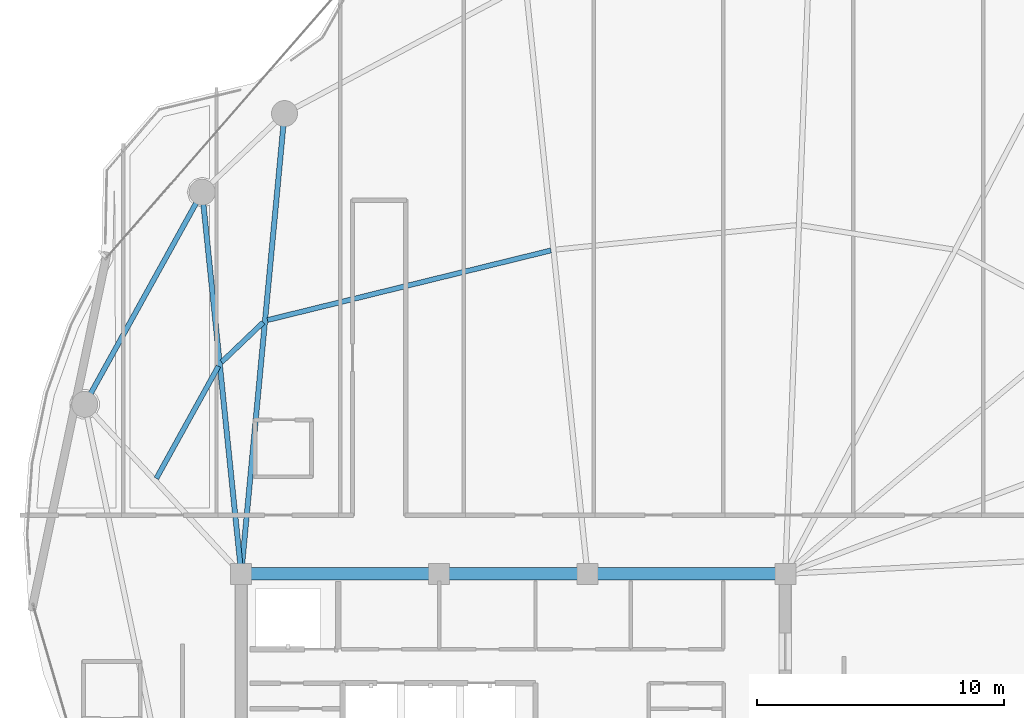
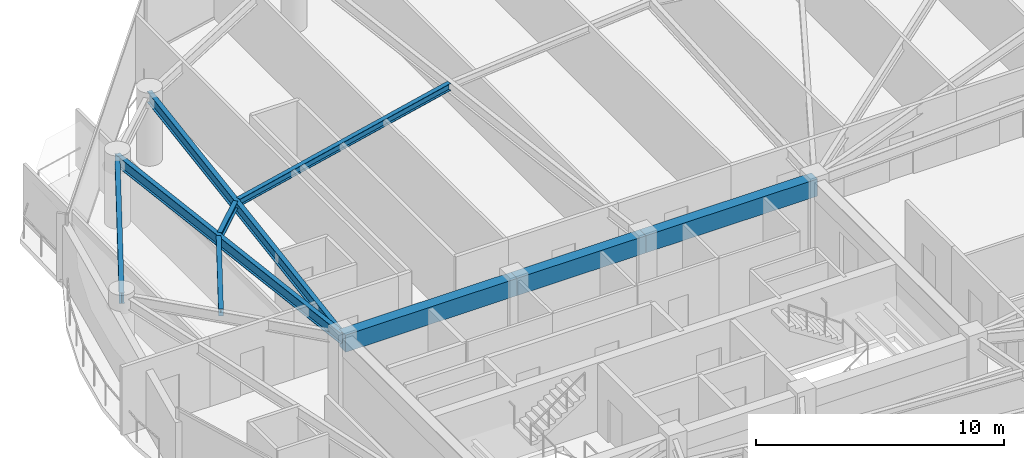
# One storey, part 8 of 29: 9 beams.
"""IFC4 building model written with IfcOpenShell, lengths in metres."""

from ifc_helpers import new_model, si_unit, direction, frame, origin, origin_2d, place, context, subcontext, project, spatial, rectangle, i_section, extrude, material, material_profile, profile_set, type_object, element, save


model = new_model("IFC4")

# Units and contexts
model_context = context("Model", 3, precision=1e-05, world=origin(), true_north=direction((0.0, 1.0)))
body_context = subcontext(model_context, "Body", "Model", "MODEL_VIEW")
ifc_project = project(units=[si_unit("LENGTHUNIT", "METRE"), si_unit("AREAUNIT", "SQUARE_METRE"), si_unit("VOLUMEUNIT", "CUBIC_METRE"), si_unit("PLANEANGLEUNIT", "RADIAN"), si_unit("MASSUNIT", "GRAM", prefix="KILO")], contexts=[model_context])

# Site, building, storey
site_placement = place(None, origin())
site = spatial("IfcSite", under=ifc_project, at=site_placement, CompositionType="ELEMENT")
building_placement = place(site_placement, origin())
building = spatial("IfcBuilding", under=site, at=building_placement, Name="Kazevale Care Tower and Concert Hall", CompositionType="ELEMENT")
storey_placement = place(building_placement, frame((0.0, 0.0, 199.199951171875)))
storey = spatial("IfcBuildingStorey", under=building, at=storey_placement, Name="L52", CompositionType="ELEMENT", Elevation=199.199951171875)

# Beams
ifc_material_1 = material(Name="Concrete C60", Category="concrete")
ifc_material_profile_1 = material_profile(ifc_material_1, rectangle(XDim=0.5, YDim=0.85009765625, at=origin_2d()), Name="RC-B500x850")
ifc_profile_set_1 = profile_set([ifc_material_profile_1], Name="Concrete C60")
beam_type_1 = type_object("IfcBeamType", Name="Core Coupling Beam RC500x850", PredefinedType="LINTEL", material=ifc_profile_set_1)
beam_1_placement = place(storey_placement, frame((44.0, 36.39990234375, 2.93505859375), z_axis=(-1.0, 0.0, 0.0), x_axis=(0.0, -1.0, 0.0)))
element("IfcBeam", 1, at=beam_1_placement, inside=storey, type_object=beam_type_1, Name="beam:L52:coretie:5", PredefinedType="LINTEL", context=body_context, shape_type="SweptSolid", body=[
    extrude(rectangle(XDim=0.5, YDim=0.85009765625, at=origin_2d()), origin(), (0.0, 0.0, 1.0), 8.0),
])
beam_2_placement = place(storey_placement, frame((36.0, 36.39990234375, 2.93505859375), z_axis=(-1.0, 0.0, 0.0), x_axis=(0.0, -1.0, 0.0)))
element("IfcBeam", 2, at=beam_2_placement, inside=storey, type_object=beam_type_1, Name="beam:L52:coretie:6", PredefinedType="LINTEL", context=body_context, shape_type="SweptSolid", body=[
    extrude(rectangle(XDim=0.5, YDim=0.85009765625, at=origin_2d()), origin(), (0.0, 0.0, 1.0), 6.0),
])
beam_3_placement = place(storey_placement, frame((30.0, 36.39990234375, 2.93505859375), z_axis=(-1.0, 0.0, 0.0), x_axis=(0.0, -1.0, 0.0)))
element("IfcBeam", 3, at=beam_3_placement, inside=storey, type_object=beam_type_1, Name="beam:L52:coretie:7", PredefinedType="LINTEL", context=body_context, shape_type="SweptSolid", body=[
    extrude(rectangle(XDim=0.5, YDim=0.85009765625, at=origin_2d()), origin(), (0.0, 0.0, 1.0), 8.0),
])
ifc_material_2 = material(Name="Steel ASTM A572 Gr 50", Category="steel")
ifc_material_profile_2 = material_profile(ifc_material_2, i_section(OverallWidth=0.2119140625, OverallDepth=0.5439453125, WebThickness=0.01318359375, FlangeThickness=0.021240234375, at=origin_2d()), Name="W530x123")
ifc_profile_set_2 = profile_set([ifc_material_profile_2], Name="Steel ASTM A572 Gr 50")
beam_type_2 = type_object("IfcBeamType", Name="Radial Floor Girder W530x123", PredefinedType="BEAM", material=ifc_profile_set_2)
beam_4_placement = place(storey_placement, frame((22.0, 36.39990234375, 3.088134765625), z_axis=(0.093621904075, 0.995607823933, 0.0), x_axis=(-0.995607823933, 0.093621904075, 0.0)))
element("IfcBeam", 4, at=beam_4_placement, inside=storey, type_object=beam_type_2, Name="beam:L52:rad:07", PredefinedType="BEAM", context=body_context, shape_type="SweptSolid", body=[
    extrude(i_section(OverallWidth=0.2119140625, OverallDepth=0.5439453125, WebThickness=0.01318359375, FlangeThickness=0.021240234375, at=origin_2d()), origin(), (0.0, 0.0, 1.0), 18.692138671875),
])
beam_5_placement = place(storey_placement, frame((22.0, 36.39990234375, 3.088134765625), z_axis=(-0.101869109083, 0.994797810922, 0.0), x_axis=(-0.994797810922, -0.101869109083, 0.0)))
element("IfcBeam", 5, at=beam_5_placement, inside=storey, type_object=beam_type_2, Name="beam:L52:rad:08", PredefinedType="BEAM", context=body_context, shape_type="SweptSolid", body=[
    extrude(i_section(OverallWidth=0.2119140625, OverallDepth=0.5439453125, WebThickness=0.01318359375, FlangeThickness=0.021240234375, at=origin_2d()), origin(), (0.0, 0.0, 1.0), 15.510986328125),
])
ifc_material_profile_3 = material_profile(ifc_material_2, i_section(OverallWidth=0.205078125, OverallDepth=0.35400390625, WebThickness=0.009521484375, FlangeThickness=0.016845703125, at=origin_2d()), Name="W360x79")
ifc_profile_set_3 = profile_set([ifc_material_profile_3], Name="Steel ASTM A572 Gr 50")
beam_type_3 = type_object("IfcBeamType", Name="Secondary Floor Joist W360x79", PredefinedType="JOIST", material=ifc_profile_set_3)
beam_6_placement = place(storey_placement, frame((34.52294921875, 49.47607421875, 3.18310546875), z_axis=(-0.971122715177, -0.238580535809, 0.0), x_axis=(0.238580535809, -0.971122715177, 0.0)))
element("IfcBeam", 6, at=beam_6_placement, inside=storey, type_object=beam_type_3, Name="beam:L52:joist:06", PredefinedType="JOIST", context=body_context, shape_type="SweptSolid", body=[
    extrude(i_section(OverallWidth=0.205078125, OverallDepth=0.35400390625, WebThickness=0.009521484375, FlangeThickness=0.016845703125, at=origin_2d()), origin(), (0.0, 0.0, 1.0), 11.7998046875),
])
beam_7_placement = place(storey_placement, frame((22.886962890625, 46.56298828125, 3.18310546875), z_axis=(-0.723262472539, -0.690573237114, 0.0), x_axis=(0.690573237114, -0.723262472539, 0.0)))
element("IfcBeam", 7, at=beam_7_placement, inside=storey, type_object=beam_type_3, Name="beam:L52:joist:07", PredefinedType="JOIST", context=body_context, shape_type="SweptSolid", body=[
    extrude(i_section(OverallWidth=0.205078125, OverallDepth=0.35400390625, WebThickness=0.009521484375, FlangeThickness=0.016845703125, at=origin_2d()), origin(), (0.0, 0.0, 1.0), 2.32275390625),
])
beam_8_placement = place(storey_placement, frame((21.080078125, 44.794921875, 3.18310546875), z_axis=(-0.484322963201, -0.874889288605, 0.0), x_axis=(0.874889288605, -0.484322963201, 0.0)))
element("IfcBeam", 8, at=beam_8_placement, inside=storey, type_object=beam_type_3, Name="beam:L52:joist:08", PredefinedType="JOIST", context=body_context, shape_type="SweptSolid", body=[
    extrude(i_section(OverallWidth=0.205078125, OverallDepth=0.35400390625, WebThickness=0.009521484375, FlangeThickness=0.016845703125, at=origin_2d()), origin(), (0.0, 0.0, 1.0), 5.1845703125),
])
ifc_material_profile_4 = material_profile(ifc_material_2, i_section(OverallWidth=0.208984375, OverallDepth=0.532958984375, WebThickness=0.01025390625, FlangeThickness=0.015625, at=origin_2d()), Name="W530x92")
ifc_profile_set_4 = profile_set([ifc_material_profile_4], Name="Steel ASTM A572 Gr 50")
beam_type_4 = type_object("IfcBeamType", Name="Upper Ring Beam W530x92", PredefinedType="BEAM", material=ifc_profile_set_4)
beam_9_placement = place(storey_placement, frame((20.419921875, 51.830078125, 3.093505859375), z_axis=(-0.484340382014, -0.874879645637, 0.0), x_axis=(0.874879645637, -0.484340382014, 0.0)))
element("IfcBeam", 9, at=beam_9_placement, inside=storey, type_object=beam_type_4, Name="beam:L52:ring:08", PredefinedType="BEAM", context=body_context, shape_type="SweptSolid", body=[
    extrude(i_section(OverallWidth=0.208984375, OverallDepth=0.532958984375, WebThickness=0.01025390625, FlangeThickness=0.015625, at=origin_2d()), origin(), (0.0, 0.0, 1.0), 9.80712890625),
])

save(model, "model.ifc")
